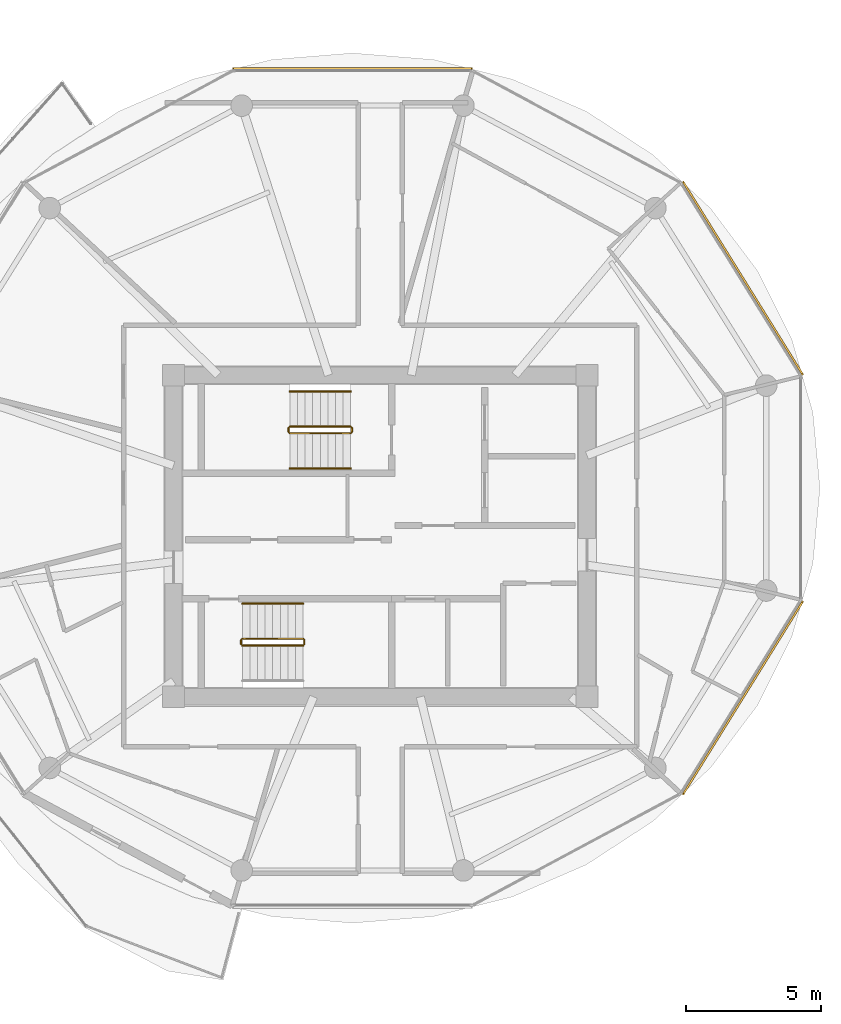
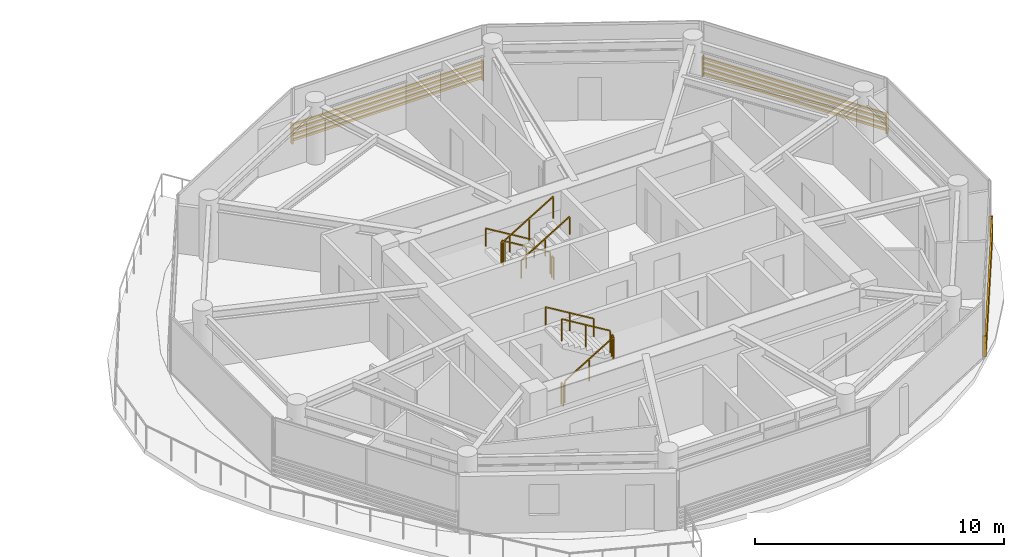
# One storey, part 22 of 22: 11 railings, 3 shading devices.
"""IFC4 building model written with IfcOpenShell, lengths in metres."""

from ifc_helpers import new_model, si_unit, direction, frame, origin, origin_2d, place, context, subcontext, project, spatial, rectangle, extrude, source, transform, mapped, material, type_object, type_shapes, element, save


model = new_model("IFC4")

# Units and contexts
model_context = context("Model", 3, precision=1e-05, world=origin(), true_north=direction((0.0, 1.0)))
body_context = subcontext(model_context, "Body", "Model", "MODEL_VIEW")
ifc_project = project(units=[si_unit("LENGTHUNIT", "METRE"), si_unit("AREAUNIT", "SQUARE_METRE"), si_unit("VOLUMEUNIT", "CUBIC_METRE"), si_unit("PLANEANGLEUNIT", "RADIAN"), si_unit("MASSUNIT", "GRAM", prefix="KILO")], contexts=[model_context])

# Site, building, storey
site_placement = place(None, origin())
site = spatial("IfcSite", under=ifc_project, at=site_placement, CompositionType="ELEMENT")
building_placement = place(site_placement, origin())
building = spatial("IfcBuilding", under=site, at=building_placement, Name="Norrkilde Senior Care Towers", CompositionType="ELEMENT")
storey_placement = place(building_placement, frame((0.0, 0.0, 137.35009765625)))
storey = spatial("IfcBuildingStorey", under=building, at=storey_placement, Name="L42", CompositionType="ELEMENT", Elevation=137.35009765625)

# Railings
ifc_material_1 = material(Name="Stainless Steel", Category="steel")
railing_type_1 = type_object("IfcRailingType", Name="Stair and Terrace Guardrail 1100", PredefinedType="GUARDRAIL", material=ifc_material_1)
railing_1_placement = place(storey_placement, frame((26.89990234375, 4.050048828125, 0.16943359375)))
element("IfcRailing", 1, at=railing_1_placement, inside=storey, type_object=railing_type_1, Name="L42 ST-E1 stair guard 1", PredefinedType="GUARDRAIL", context=body_context, shape_type="SweptSolid", body=[
    extrude(rectangle(XDim=0.048095703125, YDim=0.048095703125, at=origin_2d()), frame((0.0, 0.0, 1.076171875), z_axis=(-0.855553338991, 0.0, 0.51771467445), x_axis=(0.0, -1.0, 0.0)), (0.0, 0.0, 1.0), 2.6181640625),
    extrude(rectangle(XDim=0.0419921875, YDim=0.0419921875, at=origin_2d()), origin(), (0.0, 0.0, 1.0), 1.050048828125),
    extrude(rectangle(XDim=0.0419921875, YDim=0.0419921875, at=origin_2d()), frame((-1.1201171875, 0.0, 0.677734375)), (0.0, 0.0, 1.0), 1.050048828125),
    extrude(rectangle(XDim=0.0419921875, YDim=0.0419921875, at=origin_2d()), frame((-2.239990234375, 0.0, 1.35546875)), (0.0, 0.0, 1.0), 1.050048828125),
])
railing_2_placement = place(storey_placement, frame((24.610107421875, 4.0, 1.52490234375)))
element("IfcRailing", 2, at=railing_2_placement, inside=storey, type_object=railing_type_1, Name="L42 ST-E1 stair guard 2", PredefinedType="GUARDRAIL", context=body_context, shape_type="SweptSolid", body=[
    extrude(rectangle(XDim=0.048095703125, YDim=0.048095703125, at=origin_2d()), frame((0.0, 0.0, 1.076171875), z_axis=(0.0, -1.0, 0.0), x_axis=(1.0, 0.0, 0.0)), (0.0, 0.0, 1.0), 0.14990234375),
    extrude(rectangle(XDim=0.0419921875, YDim=0.0419921875, at=origin_2d()), origin(), (0.0, 0.0, 1.0), 1.050048828125),
    extrude(rectangle(XDim=0.0419921875, YDim=0.0419921875, at=origin_2d()), frame((0.0, -0.14990234375, 0.0)), (0.0, 0.0, 1.0), 1.050048828125),
])
railing_3_placement = place(storey_placement, frame((24.659912109375, 3.800048828125, 1.6943359375)))
element("IfcRailing", 3, at=railing_3_placement, inside=storey, type_object=railing_type_1, Name="L42 ST-E1 stair guard 3", PredefinedType="GUARDRAIL", context=body_context, shape_type="SweptSolid", body=[
    extrude(rectangle(XDim=0.048095703125, YDim=0.048095703125, at=origin_2d()), frame((0.0, 0.0, 1.076171875), z_axis=(0.855553338991, 0.0, 0.51771467445), x_axis=(0.0, 1.0, 0.0)), (0.0, 0.0, 1.0), 2.6181640625),
    extrude(rectangle(XDim=0.0419921875, YDim=0.0419921875, at=origin_2d()), origin(), (0.0, 0.0, 1.0), 1.050048828125),
    extrude(rectangle(XDim=0.0419921875, YDim=0.0419921875, at=origin_2d()), frame((1.1201171875, 0.0, 0.677734375)), (0.0, 0.0, 1.0), 1.050048828125),
    extrude(rectangle(XDim=0.0419921875, YDim=0.0419921875, at=origin_2d()), frame((2.239990234375, 0.0, 1.35546875)), (0.0, 0.0, 1.0), 1.050048828125),
])
railing_4_placement = place(storey_placement, frame((26.949951171875, 4.0, 0.0)))
element("IfcRailing", 4, at=railing_4_placement, inside=storey, type_object=railing_type_1, Name="L42 ST-E1 stair guard 4", PredefinedType="GUARDRAIL", context=body_context, shape_type="SweptSolid", body=[
    extrude(rectangle(XDim=0.048095703125, YDim=0.048095703125, at=origin_2d()), frame((0.0, 0.0, 1.076171875), z_axis=(0.0, -1.0, 0.0), x_axis=(1.0, 0.0, 0.0)), (0.0, 0.0, 1.0), 0.14990234375),
    extrude(rectangle(XDim=0.0419921875, YDim=0.0419921875, at=origin_2d()), origin(), (0.0, 0.0, 1.0), 1.050048828125),
    extrude(rectangle(XDim=0.0419921875, YDim=0.0419921875, at=origin_2d()), frame((0.0, -0.14990234375, 0.0)), (0.0, 0.0, 1.0), 1.050048828125),
])
railing_5_placement = place(storey_placement, frame((22.89990234375, -4.050048828125, 0.16943359375)))
element("IfcRailing", 5, at=railing_5_placement, inside=storey, type_object=railing_type_1, Name="L42 ST-E2 stair guard 1", PredefinedType="GUARDRAIL", context=body_context, shape_type="SweptSolid", body=[
    extrude(rectangle(XDim=0.048095703125, YDim=0.048095703125, at=origin_2d()), frame((0.0, 0.0, 1.076171875), z_axis=(0.855553338991, 0.0, 0.51771467445), x_axis=(0.0, 1.0, 0.0)), (0.0, 0.0, 1.0), 2.6181640625),
    extrude(rectangle(XDim=0.0419921875, YDim=0.0419921875, at=origin_2d()), origin(), (0.0, 0.0, 1.0), 1.050048828125),
    extrude(rectangle(XDim=0.0419921875, YDim=0.0419921875, at=origin_2d()), frame((1.1201171875, 0.0, 0.677734375)), (0.0, 0.0, 1.0), 1.050048828125),
    extrude(rectangle(XDim=0.0419921875, YDim=0.0419921875, at=origin_2d()), frame((2.239990234375, 0.0, 1.35546875)), (0.0, 0.0, 1.0), 1.050048828125),
])
railing_6_placement = place(storey_placement, frame((25.18994140625, -4.0, 1.52490234375)))
element("IfcRailing", 6, at=railing_6_placement, inside=storey, type_object=railing_type_1, Name="L42 ST-E2 stair guard 2", PredefinedType="GUARDRAIL", context=body_context, shape_type="SweptSolid", body=[
    extrude(rectangle(XDim=0.048095703125, YDim=0.048095703125, at=origin_2d()), frame((0.0, 0.0, 1.076171875), z_axis=(0.0, 1.0, 0.0), x_axis=(-1.0, 0.0, 0.0)), (0.0, 0.0, 1.0), 0.14990234375),
    extrude(rectangle(XDim=0.0419921875, YDim=0.0419921875, at=origin_2d()), origin(), (0.0, 0.0, 1.0), 1.050048828125),
    extrude(rectangle(XDim=0.0419921875, YDim=0.0419921875, at=origin_2d()), frame((0.0, 0.14990234375, 0.0)), (0.0, 0.0, 1.0), 1.050048828125),
])
railing_7_placement = place(storey_placement, frame((25.139892578125, -3.800048828125, 1.6943359375)))
element("IfcRailing", 7, at=railing_7_placement, inside=storey, type_object=railing_type_1, Name="L42 ST-E2 stair guard 3", PredefinedType="GUARDRAIL", context=body_context, shape_type="SweptSolid", body=[
    extrude(rectangle(XDim=0.048095703125, YDim=0.048095703125, at=origin_2d()), frame((0.0, 0.0, 1.076171875), z_axis=(-0.855553338991, 0.0, 0.51771467445), x_axis=(0.0, -1.0, 0.0)), (0.0, 0.0, 1.0), 2.6181640625),
    extrude(rectangle(XDim=0.0419921875, YDim=0.0419921875, at=origin_2d()), origin(), (0.0, 0.0, 1.0), 1.050048828125),
    extrude(rectangle(XDim=0.0419921875, YDim=0.0419921875, at=origin_2d()), frame((-1.1201171875, 0.0, 0.677734375)), (0.0, 0.0, 1.0), 1.050048828125),
    extrude(rectangle(XDim=0.0419921875, YDim=0.0419921875, at=origin_2d()), frame((-2.239990234375, 0.0, 1.35546875)), (0.0, 0.0, 1.0), 1.050048828125),
])
railing_8_placement = place(storey_placement, frame((22.85009765625, -4.0, 0.0)))
element("IfcRailing", 8, at=railing_8_placement, inside=storey, type_object=railing_type_1, Name="L42 ST-E2 stair guard 4", PredefinedType="GUARDRAIL", context=body_context, shape_type="SweptSolid", body=[
    extrude(rectangle(XDim=0.048095703125, YDim=0.048095703125, at=origin_2d()), frame((0.0, 0.0, 1.076171875), z_axis=(0.0, 1.0, 0.0), x_axis=(-1.0, 0.0, 0.0)), (0.0, 0.0, 1.0), 0.14990234375),
    extrude(rectangle(XDim=0.0419921875, YDim=0.0419921875, at=origin_2d()), origin(), (0.0, 0.0, 1.0), 1.050048828125),
    extrude(rectangle(XDim=0.0419921875, YDim=0.0419921875, at=origin_2d()), frame((0.0, 0.14990234375, 0.0)), (0.0, 0.0, 1.0), 1.050048828125),
])
ifc_material_2 = material(Name="Nordic Ash Timber", Category="wood")
railing_type_2 = type_object("IfcRailingType", Name="Wall and Stair Handrail 900", PredefinedType="HANDRAIL", material=ifc_material_2)
railing_9_placement = place(storey_placement, frame((26.89990234375, 5.35009765625, 0.16943359375)))
element("IfcRailing", 9, at=railing_9_placement, inside=storey, type_object=railing_type_2, Name="L42 ST-E1 stair handrail 1", PredefinedType="HANDRAIL", context=body_context, shape_type="SweptSolid", body=[
    extrude(rectangle(XDim=0.048095703125, YDim=0.048095703125, at=origin_2d()), frame((0.0, 0.0, 0.8759765625), z_axis=(-0.855553338991, 0.0, 0.51771467445), x_axis=(0.0, -1.0, 0.0)), (0.0, 0.0, 1.0), 2.6181640625),
    extrude(rectangle(XDim=0.0419921875, YDim=0.0419921875, at=origin_2d()), origin(), (0.0, 0.0, 1.0), 0.849853515625),
    extrude(rectangle(XDim=0.0419921875, YDim=0.0419921875, at=origin_2d()), frame((-1.1201171875, 0.0, 0.677734375)), (0.0, 0.0, 1.0), 0.849853515625),
    extrude(rectangle(XDim=0.0419921875, YDim=0.0419921875, at=origin_2d()), frame((-2.239990234375, 0.0, 1.35546875)), (0.0, 0.0, 1.0), 0.849853515625),
])
railing_10_placement = place(storey_placement, frame((24.659912109375, 2.5, 1.6943359375)))
element("IfcRailing", 10, at=railing_10_placement, inside=storey, type_object=railing_type_2, Name="L42 ST-E1 stair handrail 2", PredefinedType="HANDRAIL", context=body_context, shape_type="SweptSolid", body=[
    extrude(rectangle(XDim=0.048095703125, YDim=0.048095703125, at=origin_2d()), frame((0.0, 0.0, 0.8759765625), z_axis=(0.855553338991, 0.0, 0.51771467445), x_axis=(0.0, 1.0, 0.0)), (0.0, 0.0, 1.0), 2.6181640625),
    extrude(rectangle(XDim=0.0419921875, YDim=0.0419921875, at=origin_2d()), origin(), (0.0, 0.0, 1.0), 0.849853515625),
    extrude(rectangle(XDim=0.0419921875, YDim=0.0419921875, at=origin_2d()), frame((1.1201171875, 0.0, 0.677734375)), (0.0, 0.0, 1.0), 0.849853515625),
    extrude(rectangle(XDim=0.0419921875, YDim=0.0419921875, at=origin_2d()), frame((2.239990234375, 0.0, 1.35546875)), (0.0, 0.0, 1.0), 0.849853515625),
])
railing_11_placement = place(storey_placement, frame((25.139892578125, -2.5, 1.6943359375)))
element("IfcRailing", 11, at=railing_11_placement, inside=storey, type_object=railing_type_2, Name="L42 ST-E2 stair handrail 2", PredefinedType="HANDRAIL", context=body_context, shape_type="SweptSolid", body=[
    extrude(rectangle(XDim=0.048095703125, YDim=0.048095703125, at=origin_2d()), frame((0.0, 0.0, 0.8759765625), z_axis=(-0.855553338991, 0.0, 0.51771467445), x_axis=(0.0, -1.0, 0.0)), (0.0, 0.0, 1.0), 2.6181640625),
    extrude(rectangle(XDim=0.0419921875, YDim=0.0419921875, at=origin_2d()), origin(), (0.0, 0.0, 1.0), 0.849853515625),
    extrude(rectangle(XDim=0.0419921875, YDim=0.0419921875, at=origin_2d()), frame((-1.1201171875, 0.0, 0.677734375)), (0.0, 0.0, 1.0), 0.849853515625),
    extrude(rectangle(XDim=0.0419921875, YDim=0.0419921875, at=origin_2d()), frame((-2.239990234375, 0.0, 1.35546875)), (0.0, 0.0, 1.0), 0.849853515625),
])

# Shading devices
ifc_material_3 = material(Name="Architectural Terracotta", Category="masonry")
shading_device_type = type_object("IfcShadingDeviceType", Name="Horizontal Terracotta Baguette Rack", PredefinedType="USERDEFINED", material=ifc_material_3)
shared_shape_1 = source(origin(), body_context, "Body", "SweptSolid", [
    extrude(rectangle(XDim=0.070068359375, YDim=0.110107421875, at=origin_2d()), frame((0.0, 0.090087890625, 0.125), z_axis=(1.0, 0.0, 0.0), x_axis=(0.0, 1.0, 0.0)), (0.0, 0.0, 1.0), 8.89306640625),
    extrude(rectangle(XDim=0.070068359375, YDim=0.110107421875, at=origin_2d()), frame((0.0, 0.090087890625, 0.375), z_axis=(1.0, 0.0, 0.0), x_axis=(0.0, 1.0, 0.0)), (0.0, 0.0, 1.0), 8.89306640625),
    extrude(rectangle(XDim=0.070068359375, YDim=0.110107421875, at=origin_2d()), frame((0.0, 0.090087890625, 0.625), z_axis=(1.0, 0.0, 0.0), x_axis=(0.0, 1.0, 0.0)), (0.0, 0.0, 1.0), 8.89306640625),
    extrude(rectangle(XDim=0.070068359375, YDim=0.110107421875, at=origin_2d()), frame((0.0, 0.090087890625, 0.875), z_axis=(1.0, 0.0, 0.0), x_axis=(0.0, 1.0, 0.0)), (0.0, 0.0, 1.0), 8.89306640625),
    extrude(rectangle(XDim=0.050048828125, YDim=0.1552734375, at=origin_2d()), frame((0.02490234375, 0.047607421875, 0.0)), (0.0, 0.0, 1.0), 1.0),
    extrude(rectangle(XDim=0.050048828125, YDim=0.1552734375, at=origin_2d()), frame((8.8681640625, 0.047607421875, 0.0)), (0.0, 0.0, 1.0), 1.0),
])
shading_device_placement = place(storey_placement, frame((22.528564453125, 17.2109375, 0.079833984375), z_axis=(0.0, 0.0, 1.0), x_axis=(1.0, 0.0, 0.0)))
element("IfcShadingDevice", 12, at=shading_device_placement, inside=storey, type_object=shading_device_type, Name="L42 Drum E Terracotta Baguette Screen 02", ObjectType="BAGUETTE", PredefinedType="USERDEFINED", context=body_context, shape_type="MappedRepresentation", body=[
    mapped(shared_shape_1, transform((0.0, 0.0, 0.0), x_axis=(1.0, 0.0, 0.0), y_axis=(0.0, 1.0, 0.0), z_axis=(0.0, 0.0, 1.0), scale=1.0)),
])
shared_shape_2 = source(origin(), body_context, "Body", "SweptSolid", [
    extrude(rectangle(XDim=0.070068359375, YDim=0.110107421875, at=origin_2d()), frame((0.0, 0.090087890625, 0.125), z_axis=(1.0, 0.0, 0.0), x_axis=(0.0, 1.0, 0.0)), (0.0, 0.0, 1.0), 8.431396484375),
    extrude(rectangle(XDim=0.070068359375, YDim=0.110107421875, at=origin_2d()), frame((0.0, 0.090087890625, 0.375), z_axis=(1.0, 0.0, 0.0), x_axis=(0.0, 1.0, 0.0)), (0.0, 0.0, 1.0), 8.431396484375),
    extrude(rectangle(XDim=0.070068359375, YDim=0.110107421875, at=origin_2d()), frame((0.0, 0.090087890625, 0.625), z_axis=(1.0, 0.0, 0.0), x_axis=(0.0, 1.0, 0.0)), (0.0, 0.0, 1.0), 8.431396484375),
    extrude(rectangle(XDim=0.070068359375, YDim=0.110107421875, at=origin_2d()), frame((0.0, 0.090087890625, 0.875), z_axis=(1.0, 0.0, 0.0), x_axis=(0.0, 1.0, 0.0)), (0.0, 0.0, 1.0), 8.431396484375),
    extrude(rectangle(XDim=0.050048828125, YDim=0.1552734375, at=origin_2d()), frame((0.02490234375, 0.047607421875, 0.0)), (0.0, 0.0, 1.0), 1.0),
    extrude(rectangle(XDim=0.050048828125, YDim=0.1552734375, at=origin_2d()), frame((8.40625, 0.047607421875, 0.0)), (0.0, 0.0, 1.0), 1.0),
])
type_shapes(shading_device_type, [shared_shape_1, shared_shape_2])
for number, where, z_axis, x_axis, name in (
    (13, (39.123046875, 13.074951171875, 0.079833984375), (0.0, 0.0, 1.0), (0.527378022296, -0.849630809324, 0.0), "L42 Drum E Terracotta Baguette Screen 00"),
    (14, (43.569580078125, -2.360595703125, 0.079833984375), (0.0, 0.0, 1.0), (-0.527378022296, -0.849630809324, 0.0), "L42 Drum E Terracotta Baguette Screen 10"),
):
    element("IfcShadingDevice", number, at=place(storey_placement, frame(where, z_axis=z_axis, x_axis=x_axis)), inside=storey, type_object=shading_device_type, Name=name, ObjectType="BAGUETTE", PredefinedType="USERDEFINED", context=body_context, shape_type="MappedRepresentation", body=[
        mapped(shared_shape_2, transform((0.0, 0.0, 0.0), x_axis=(1.0, 0.0, 0.0), y_axis=(0.0, 1.0, 0.0), z_axis=(0.0, 0.0, 1.0), scale=1.0)),
    ])

save(model, "model.ifc")
